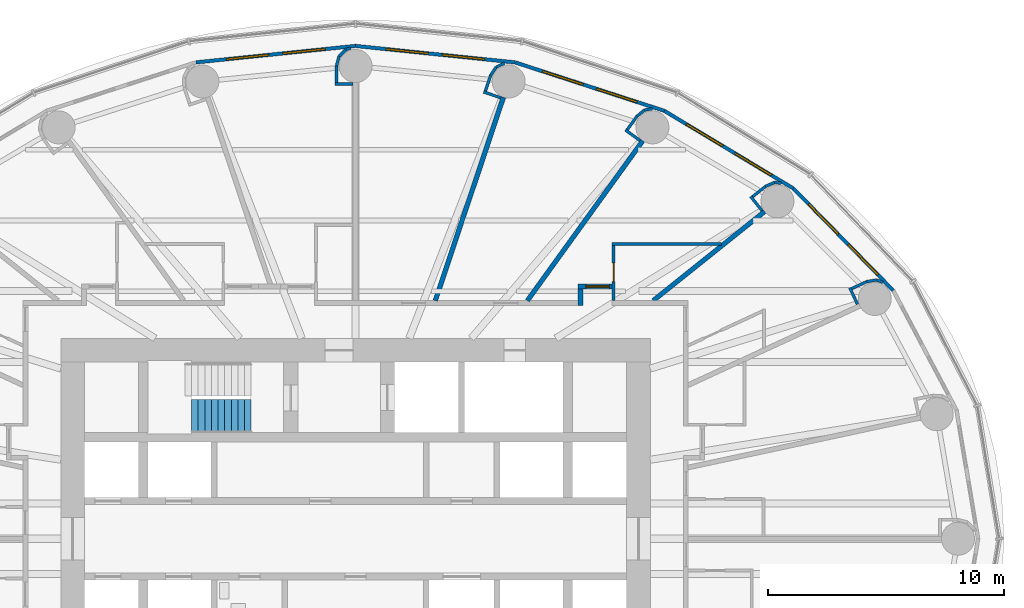
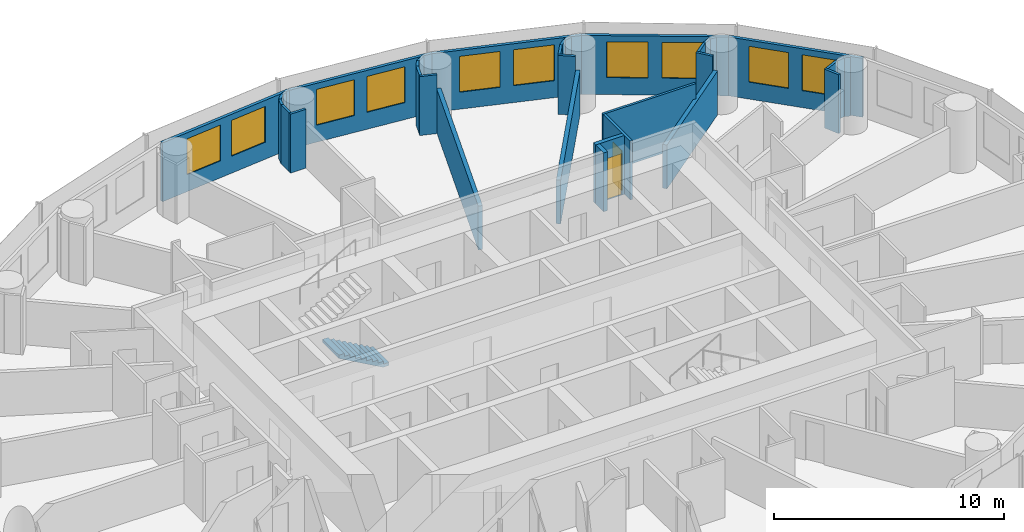
# One storey, part 13 of 16: 33 walls, 10 windows, 2 doors, 1 stair flight, 12 openings, 1 element without a shape of its own.
"""IFC4 building model written with IfcOpenShell, lengths in metres."""

from ifc_helpers import new_model, si_unit, direction, frame, frame_2d, origin, place, context, subcontext, project, spatial, polyline, rectangle, outline, extrude, material, layer, layer_set, type_object, element, fill, aggregate, save


model = new_model("IFC4")

# Units and contexts
model_context = context("Model", 3, precision=1e-05, world=origin(), true_north=direction((0.0, 1.0)))
body_context = subcontext(model_context, "Body", "Model", "MODEL_VIEW")
ifc_project = project(units=[si_unit("LENGTHUNIT", "METRE"), si_unit("AREAUNIT", "SQUARE_METRE"), si_unit("VOLUMEUNIT", "CUBIC_METRE"), si_unit("PLANEANGLEUNIT", "RADIAN"), si_unit("MASSUNIT", "GRAM", prefix="KILO")], contexts=[model_context])

# Site, building, storey
site_placement = place(None, origin())
site = spatial("IfcSite", under=ifc_project, at=site_placement, CompositionType="ELEMENT")
building_placement = place(site_placement, origin())
building = spatial("IfcBuilding", under=site, at=building_placement, Name="Hankou Lantern Tower", CompositionType="ELEMENT")
storey_placement = place(building_placement, frame((0.0, 0.0, 70.5)))
storey = spatial("IfcBuildingStorey", under=building, at=storey_placement, Name="L17", CompositionType="ELEMENT", Elevation=70.5)

# Wall, openings, windows
ifc_material_1 = material(Name="Aluminium spandrel panel on steel studs", Category="steel")
ifc_layer_1 = layer(ifc_material_1, 0.14990234375)
ifc_layer_set_1 = layer_set([ifc_layer_1], Name="Aluminium spandrel panel on steel studs")
wall_type_1 = type_object("IfcWallType", Name="EW1 INNER SKIN WALL 150", PredefinedType="ELEMENTEDWALL", material=ifc_layer_set_1)
wall_1_placement = place(storey_placement, frame((22.802734375, 10.5322265625, 0.0), z_axis=(0.0, 0.0, 1.0), x_axis=(-0.699602905915, 0.714531856557, 0.0)))
wall_1 = element("IfcWall", 1, at=wall_1_placement, inside=storey, type_object=wall_type_1, Name="Inner skin R03-R04 L17", PredefinedType="ELEMENTEDWALL", context=body_context, shape_type="SweptSolid", body=[
    extrude(rectangle(XDim=6.05078125, YDim=0.14990234375, at=frame_2d((3.025390625, 0.0))), origin(), (0.0, 0.0, 1.0), 3.1201171875),
])
opening_1_placement = place(wall_1_placement, frame((0.925537109375, 0.0, 0.89990234375)))
opening_1 = element("IfcOpeningElement", 2, at=opening_1_placement, cuts=wall_1, Name="Opening W1", PredefinedType="OPENING", context=body_context, shape_type="SweptSolid", body=[
    extrude(rectangle(XDim=1.800048828125, YDim=1.89990234375, at=frame_2d((0.89990234375, 0.949951171875))), frame((0.0, 0.0849609375, 0.0), z_axis=(0.0, -1.0, 0.0), x_axis=(1.0, 0.0, 0.0)), (0.0, 0.0, 1.0), 0.169921875),
])
opening_2_placement = place(wall_1_placement, frame((3.325439453125, 0.0, 0.89990234375)))
opening_2 = element("IfcOpeningElement", 3, at=opening_2_placement, cuts=wall_1, Name="Opening W1", PredefinedType="OPENING", context=body_context, shape_type="SweptSolid", body=[
    extrude(rectangle(XDim=1.800048828125, YDim=1.89990234375, at=frame_2d((0.89990234375, 0.949951171875))), frame((0.0, 0.0849609375, 0.0), z_axis=(0.0, -1.0, 0.0), x_axis=(1.0, 0.0, 0.0)), (0.0, 0.0, 1.0), 0.169921875),
])
ifc_material_2 = material(Name="Aluminium framed double glazed window", Category="aluminium")
window_type = type_object("IfcWindowType", Name="W1 GUEST ROOM WINDOW 1800X1900", PartitioningType="DOUBLE_PANEL_VERTICAL", PredefinedType="WINDOW", material=ifc_material_2)
window_1_placement = place(opening_1_placement, origin())
window_1 = element("IfcWindow", 4, at=window_1_placement, inside=storey, type_object=window_type, Name="Window R03.1 L17", OverallHeight=1.89990234375, OverallWidth=1.800048828125, PartitioningType="SINGLE_PANEL", PredefinedType="WINDOW", context=body_context, shape_type="SweptSolid", body=[
    extrude(rectangle(XDim=1.800048828125, YDim=1.89990234375, at=frame_2d((0.89990234375, 0.949951171875))), frame((0.0, 0.030029296875, 0.0), z_axis=(0.0, -1.0, 0.0), x_axis=(1.0, 0.0, 0.0)), (0.0, 0.0, 1.0), 0.06005859375),
])
fill(opening_1, window_1)
window_2_placement = place(opening_2_placement, origin())
window_2 = element("IfcWindow", 5, at=window_2_placement, inside=storey, type_object=window_type, Name="Window R03.2 L17", OverallHeight=1.89990234375, OverallWidth=1.800048828125, PartitioningType="SINGLE_PANEL", PredefinedType="WINDOW", context=body_context, shape_type="SweptSolid", body=[
    extrude(rectangle(XDim=1.800048828125, YDim=1.89990234375, at=frame_2d((0.89990234375, 0.949951171875))), frame((0.0, 0.030029296875, 0.0), z_axis=(0.0, -1.0, 0.0), x_axis=(1.0, 0.0, 0.0)), (0.0, 0.0, 1.0), 0.06005859375),
])
fill(opening_2, window_2)

wall_2_placement = place(storey_placement, frame((18.569580078125, 14.855712890625, 0.0), z_axis=(0.0, 0.0, 1.0), x_axis=(-0.856983180864, 0.515344377787, 0.0)))
wall_2 = element("IfcWall", 6, at=wall_2_placement, inside=storey, type_object=wall_type_1, Name="Inner skin R04-R05 L17", PredefinedType="ELEMENTEDWALL", context=body_context, shape_type="SweptSolid", body=[
    extrude(rectangle(XDim=6.386474609375, YDim=0.14990234375, at=frame_2d((3.193359375, 0.0))), origin(), (0.0, 0.0, 1.0), 3.1201171875),
])
opening_3_placement = place(wall_2_placement, frame((1.09326171875, 0.0, 0.89990234375)))
opening_3 = element("IfcOpeningElement", 7, at=opening_3_placement, cuts=wall_2, Name="Opening W1", PredefinedType="OPENING", context=body_context, shape_type="SweptSolid", body=[
    extrude(rectangle(XDim=1.800048828125, YDim=1.89990234375, at=frame_2d((0.89990234375, 0.949951171875))), frame((0.0, 0.0849609375, 0.0), z_axis=(0.0, -1.0, 0.0), x_axis=(1.0, 0.0, 0.0)), (0.0, 0.0, 1.0), 0.169921875),
])
opening_4_placement = place(wall_2_placement, frame((3.4931640625, 0.0, 0.89990234375)))
opening_4 = element("IfcOpeningElement", 8, at=opening_4_placement, cuts=wall_2, Name="Opening W1", PredefinedType="OPENING", context=body_context, shape_type="SweptSolid", body=[
    extrude(rectangle(XDim=1.800048828125, YDim=1.89990234375, at=frame_2d((0.89990234375, 0.949951171875))), frame((0.0, 0.0849609375, 0.0), z_axis=(0.0, -1.0, 0.0), x_axis=(1.0, 0.0, 0.0)), (0.0, 0.0, 1.0), 0.169921875),
])
window_3_placement = place(opening_3_placement, origin())
window_3 = element("IfcWindow", 9, at=window_3_placement, inside=storey, type_object=window_type, Name="Window R04.1 L17", OverallHeight=1.89990234375, OverallWidth=1.800048828125, PartitioningType="SINGLE_PANEL", PredefinedType="WINDOW", context=body_context, shape_type="SweptSolid", body=[
    extrude(rectangle(XDim=1.800048828125, YDim=1.89990234375, at=frame_2d((0.89990234375, 0.949951171875))), frame((0.0, 0.030029296875, 0.0), z_axis=(0.0, -1.0, 0.0), x_axis=(1.0, 0.0, 0.0)), (0.0, 0.0, 1.0), 0.06005859375),
])
fill(opening_3, window_3)
window_4_placement = place(opening_4_placement, origin())
window_4 = element("IfcWindow", 10, at=window_4_placement, inside=storey, type_object=window_type, Name="Window R04.2 L17", OverallHeight=1.89990234375, OverallWidth=1.800048828125, PartitioningType="SINGLE_PANEL", PredefinedType="WINDOW", context=body_context, shape_type="SweptSolid", body=[
    extrude(rectangle(XDim=1.800048828125, YDim=1.89990234375, at=frame_2d((0.89990234375, 0.949951171875))), frame((0.0, 0.030029296875, 0.0), z_axis=(0.0, -1.0, 0.0), x_axis=(1.0, 0.0, 0.0)), (0.0, 0.0, 1.0), 0.06005859375),
])
fill(opening_4, window_4)

wall_3_placement = place(storey_placement, frame((13.096435546875, 18.14697265625, 0.0), z_axis=(0.0, 0.0, 1.0), x_axis=(-0.951137534625, 0.308767534285, 0.0)))
wall_3 = element("IfcWall", 11, at=wall_3_placement, inside=storey, type_object=wall_type_1, Name="Inner skin R05-R06 L17", PredefinedType="ELEMENTEDWALL", context=body_context, shape_type="SweptSolid", body=[
    extrude(rectangle(XDim=6.6552734375, YDim=0.14990234375, at=frame_2d((3.32763671875, 0.0))), origin(), (0.0, 0.0, 1.0), 3.1201171875),
])
opening_5_placement = place(wall_3_placement, frame((1.2275390625, 0.0, 0.89990234375)))
opening_5 = element("IfcOpeningElement", 12, at=opening_5_placement, cuts=wall_3, Name="Opening W1", PredefinedType="OPENING", context=body_context, shape_type="SweptSolid", body=[
    extrude(rectangle(XDim=1.800048828125, YDim=1.89990234375, at=frame_2d((0.89990234375, 0.949951171875))), frame((0.0, 0.0849609375, 0.0), z_axis=(0.0, -1.0, 0.0), x_axis=(1.0, 0.0, 0.0)), (0.0, 0.0, 1.0), 0.169921875),
])
opening_6_placement = place(wall_3_placement, frame((3.627685546875, 0.0, 0.89990234375)))
opening_6 = element("IfcOpeningElement", 13, at=opening_6_placement, cuts=wall_3, Name="Opening W1", PredefinedType="OPENING", context=body_context, shape_type="SweptSolid", body=[
    extrude(rectangle(XDim=1.800048828125, YDim=1.89990234375, at=frame_2d((0.89990234375, 0.949951171875))), frame((0.0, 0.0849609375, 0.0), z_axis=(0.0, -1.0, 0.0), x_axis=(1.0, 0.0, 0.0)), (0.0, 0.0, 1.0), 0.169921875),
])
window_5_placement = place(opening_5_placement, origin())
window_5 = element("IfcWindow", 14, at=window_5_placement, inside=storey, type_object=window_type, Name="Window R05.1 L17", OverallHeight=1.89990234375, OverallWidth=1.800048828125, PartitioningType="SINGLE_PANEL", PredefinedType="WINDOW", context=body_context, shape_type="SweptSolid", body=[
    extrude(rectangle(XDim=1.800048828125, YDim=1.89990234375, at=frame_2d((0.89990234375, 0.949951171875))), frame((0.0, 0.030029296875, 0.0), z_axis=(0.0, -1.0, 0.0), x_axis=(1.0, 0.0, 0.0)), (0.0, 0.0, 1.0), 0.06005859375),
])
fill(opening_5, window_5)
window_6_placement = place(opening_6_placement, origin())
window_6 = element("IfcWindow", 15, at=window_6_placement, inside=storey, type_object=window_type, Name="Window R05.2 L17", OverallHeight=1.89990234375, OverallWidth=1.800048828125, PartitioningType="SINGLE_PANEL", PredefinedType="WINDOW", context=body_context, shape_type="SweptSolid", body=[
    extrude(rectangle(XDim=1.800048828125, YDim=1.89990234375, at=frame_2d((0.89990234375, 0.949951171875))), frame((0.0, 0.030029296875, 0.0), z_axis=(0.0, -1.0, 0.0), x_axis=(1.0, 0.0, 0.0)), (0.0, 0.0, 1.0), 0.06005859375),
])
fill(opening_6, window_6)

wall_4_placement = place(storey_placement, frame((6.766357421875, 20.201904296875, 0.0), z_axis=(0.0, 0.0, 1.0), x_axis=(-0.994721394369, 0.102612609291, 0.0)))
wall_4 = element("IfcWall", 16, at=wall_4_placement, inside=storey, type_object=wall_type_1, Name="Inner skin R06-R07 L17", PredefinedType="ELEMENTEDWALL", context=body_context, shape_type="SweptSolid", body=[
    extrude(rectangle(XDim=6.80224609375, YDim=0.14990234375, at=frame_2d((3.401123046875, 0.0))), origin(), (0.0, 0.0, 1.0), 3.1201171875),
])
opening_7_placement = place(wall_4_placement, frame((1.301025390625, 0.0, 0.89990234375)))
opening_7 = element("IfcOpeningElement", 17, at=opening_7_placement, cuts=wall_4, Name="Opening W1", PredefinedType="OPENING", context=body_context, shape_type="SweptSolid", body=[
    extrude(rectangle(XDim=1.800048828125, YDim=1.89990234375, at=frame_2d((0.89990234375, 0.949951171875))), frame((0.0, 0.0849609375, 0.0), z_axis=(0.0, -1.0, 0.0), x_axis=(1.0, 0.0, 0.0)), (0.0, 0.0, 1.0), 0.169921875),
])
opening_8_placement = place(wall_4_placement, frame((3.701171875, 0.0, 0.89990234375)))
opening_8 = element("IfcOpeningElement", 18, at=opening_8_placement, cuts=wall_4, Name="Opening W1", PredefinedType="OPENING", context=body_context, shape_type="SweptSolid", body=[
    extrude(rectangle(XDim=1.800048828125, YDim=1.89990234375, at=frame_2d((0.89990234375, 0.949951171875))), frame((0.0, 0.0849609375, 0.0), z_axis=(0.0, -1.0, 0.0), x_axis=(1.0, 0.0, 0.0)), (0.0, 0.0, 1.0), 0.169921875),
])
window_7_placement = place(opening_7_placement, origin())
window_7 = element("IfcWindow", 19, at=window_7_placement, inside=storey, type_object=window_type, Name="Window R06.1 L17", OverallHeight=1.89990234375, OverallWidth=1.800048828125, PartitioningType="SINGLE_PANEL", PredefinedType="WINDOW", context=body_context, shape_type="SweptSolid", body=[
    extrude(rectangle(XDim=1.800048828125, YDim=1.89990234375, at=frame_2d((0.89990234375, 0.949951171875))), frame((0.0, 0.030029296875, 0.0), z_axis=(0.0, -1.0, 0.0), x_axis=(1.0, 0.0, 0.0)), (0.0, 0.0, 1.0), 0.06005859375),
])
fill(opening_7, window_7)
window_8_placement = place(opening_8_placement, origin())
window_8 = element("IfcWindow", 20, at=window_8_placement, inside=storey, type_object=window_type, Name="Window R06.2 L17", OverallHeight=1.89990234375, OverallWidth=1.800048828125, PartitioningType="SINGLE_PANEL", PredefinedType="WINDOW", context=body_context, shape_type="SweptSolid", body=[
    extrude(rectangle(XDim=1.800048828125, YDim=1.89990234375, at=frame_2d((0.89990234375, 0.949951171875))), frame((0.0, 0.030029296875, 0.0), z_axis=(0.0, -1.0, 0.0), x_axis=(1.0, 0.0, 0.0)), (0.0, 0.0, 1.0), 0.06005859375),
])
fill(opening_8, window_8)

wall_5_placement = place(storey_placement, frame((0.0, 20.89990234375, 0.0), z_axis=(0.0, 0.0, 1.0), x_axis=(-0.994721394369, -0.102612609291, 0.0)))
wall_5 = element("IfcWall", 21, at=wall_5_placement, inside=storey, type_object=wall_type_1, Name="Inner skin R07-R08 L17", PredefinedType="ELEMENTEDWALL", context=body_context, shape_type="SweptSolid", body=[
    extrude(rectangle(XDim=6.80224609375, YDim=0.14990234375, at=frame_2d((3.401123046875, 0.0))), origin(), (0.0, 0.0, 1.0), 3.1201171875),
])
opening_9_placement = place(wall_5_placement, frame((1.301025390625, 0.0, 0.89990234375)))
opening_9 = element("IfcOpeningElement", 22, at=opening_9_placement, cuts=wall_5, Name="Opening W1", PredefinedType="OPENING", context=body_context, shape_type="SweptSolid", body=[
    extrude(rectangle(XDim=1.800048828125, YDim=1.89990234375, at=frame_2d((0.89990234375, 0.949951171875))), frame((0.0, 0.0849609375, 0.0), z_axis=(0.0, -1.0, 0.0), x_axis=(1.0, 0.0, 0.0)), (0.0, 0.0, 1.0), 0.169921875),
])
opening_10_placement = place(wall_5_placement, frame((3.701171875, 0.0, 0.89990234375)))
opening_10 = element("IfcOpeningElement", 23, at=opening_10_placement, cuts=wall_5, Name="Opening W1", PredefinedType="OPENING", context=body_context, shape_type="SweptSolid", body=[
    extrude(rectangle(XDim=1.800048828125, YDim=1.89990234375, at=frame_2d((0.89990234375, 0.949951171875))), frame((0.0, 0.0849609375, 0.0), z_axis=(0.0, -1.0, 0.0), x_axis=(1.0, 0.0, 0.0)), (0.0, 0.0, 1.0), 0.169921875),
])
window_9_placement = place(opening_9_placement, origin())
window_9 = element("IfcWindow", 24, at=window_9_placement, inside=storey, type_object=window_type, Name="Window R07.1 L17", OverallHeight=1.89990234375, OverallWidth=1.800048828125, PartitioningType="SINGLE_PANEL", PredefinedType="WINDOW", context=body_context, shape_type="SweptSolid", body=[
    extrude(rectangle(XDim=1.800048828125, YDim=1.89990234375, at=frame_2d((0.89990234375, 0.949951171875))), frame((0.0, 0.030029296875, 0.0), z_axis=(0.0, -1.0, 0.0), x_axis=(1.0, 0.0, 0.0)), (0.0, 0.0, 1.0), 0.06005859375),
])
fill(opening_9, window_9)
window_10_placement = place(opening_10_placement, origin())
window_10 = element("IfcWindow", 25, at=window_10_placement, inside=storey, type_object=window_type, Name="Window R07.2 L17", OverallHeight=1.89990234375, OverallWidth=1.800048828125, PartitioningType="SINGLE_PANEL", PredefinedType="WINDOW", context=body_context, shape_type="SweptSolid", body=[
    extrude(rectangle(XDim=1.800048828125, YDim=1.89990234375, at=frame_2d((0.89990234375, 0.949951171875))), frame((0.0, 0.030029296875, 0.0), z_axis=(0.0, -1.0, 0.0), x_axis=(1.0, 0.0, 0.0)), (0.0, 0.0, 1.0), 0.06005859375),
])
fill(opening_10, window_10)

# Wall
ifc_material_3 = material(Name="Masonry lightweight concrete block", Category="masonry")
ifc_layer_2 = layer(ifc_material_3, 0.199951171875)
ifc_layer_set_2 = layer_set([ifc_layer_2], Name="Masonry lightweight concrete block")
wall_type_2 = type_object("IfcWallType", Name="IW1 GUEST ROOM PARTY WALL 200", PredefinedType="PARTITIONING", material=ifc_layer_set_2)
wall_6_placement = place(storey_placement, frame((12.625, 10.10009765625, 0.0), z_axis=(0.0, 0.0, 1.0), x_axis=(0.780892451574, 0.624665493744, 0.0)))
element("IfcWall", 26, at=wall_6_placement, inside=storey, type_object=wall_type_2, Name="Party wall R04", PredefinedType="PARTITIONING", context=body_context, shape_type="SweptSolid", body=[
    extrude(rectangle(XDim=6.044677734375, YDim=0.199951171875, at=frame_2d((3.0224609375, 0.0))), origin(), (0.0, 0.0, 1.0), 2.320068359375),
])

# Wall, opening, door
ifc_material_4 = material(Name="Masonry lightweight concrete block", Category="masonry")
ifc_layer_3 = layer(ifc_material_4, 0.199951171875)
ifc_layer_set_3 = layer_set([ifc_layer_3], Name="Masonry lightweight concrete block")
wall_type_3 = type_object("IfcWallType", Name="IW2 CORRIDOR WALL 200", PredefinedType="PARTITIONING", material=ifc_layer_set_3)
wall_7_placement = place(storey_placement, frame((9.445068359375, 10.699951171875, 0.0), z_axis=(0.0, 0.0, 1.0), x_axis=(1.0, 0.0, 0.0)))
wall_7 = element("IfcWall", 27, at=wall_7_placement, inside=storey, type_object=wall_type_3, Name="Corridor recess wall 1709 back", PredefinedType="PARTITIONING", context=body_context, shape_type="SweptSolid", body=[
    extrude(rectangle(XDim=1.43994140625, YDim=0.199951171875, at=frame_2d((0.719970703125, 0.0))), origin(), (0.0, 0.0, 1.0), 3.1201171875),
])
opening_11_placement = place(wall_7_placement, frame((0.320068359375, 0.0, 0.0)))
opening_11 = element("IfcOpeningElement", 28, at=opening_11_placement, cuts=wall_7, Name="Opening D1", PredefinedType="OPENING", context=body_context, shape_type="SweptSolid", body=[
    extrude(rectangle(XDim=1.0, YDim=2.199951171875, at=frame_2d((0.5, 1.10009765625))), frame((0.0, 0.10986328125, 0.0), z_axis=(0.0, -1.0, 0.0), x_axis=(1.0, 0.0, 0.0)), (0.0, 0.0, 1.0), 0.219970703125),
])
ifc_material_5 = material(Name="Steel door leaf", Category="steel")
door_type_1 = type_object("IfcDoorType", Name="D1 GUEST ROOM DOOR 1000X2200", OperationType="SINGLE_SWING_LEFT", PredefinedType="DOOR", material=ifc_material_5)
door_1_placement = place(opening_11_placement, origin())
door_1 = element("IfcDoor", 29, at=door_1_placement, inside=storey, type_object=door_type_1, Name="Guest room door 1709", OperationType="SINGLE_SWING_RIGHT", OverallHeight=2.199951171875, OverallWidth=1.0, PredefinedType="DOOR", context=body_context, shape_type="SweptSolid", body=[
    extrude(rectangle(XDim=1.0, YDim=2.199951171875, at=frame_2d((0.5, 1.10009765625))), frame((0.0, 0.02490234375, 0.0), z_axis=(0.0, -1.0, 0.0), x_axis=(1.0, 0.0, 0.0)), (0.0, 0.0, 1.0), 0.050048828125),
])
fill(opening_11, door_1)

# Walls
wall_8_placement = place(storey_placement, frame((9.544921875, 9.89990234375, 0.0), z_axis=(0.0, 0.0, 1.0), x_axis=(0.0, 1.0, 0.0)))
element("IfcWall", 30, at=wall_8_placement, inside=storey, type_object=wall_type_3, Name="Corridor recess wall 1709 side", PredefinedType="PARTITIONING", context=body_context, shape_type="SweptSolid", body=[
    extrude(rectangle(XDim=0.7001953125, YDim=0.199951171875, at=frame_2d((0.35009765625, 0.0))), origin(), (0.0, 0.0, 1.0), 3.1201171875),
])
ifc_material_6 = material(Name="Masonry lightweight concrete block", Category="masonry")
ifc_layer_4 = layer(ifc_material_6, 0.1201171875)
ifc_layer_set_4 = layer_set([ifc_layer_4], Name="Masonry lightweight concrete block")
wall_type_4 = type_object("IfcWallType", Name="IW3 BATHROOM WALL 120", PredefinedType="PARTITIONING", material=ifc_layer_set_4)
wall_9_placement = place(storey_placement, frame((15.52490234375, 12.5, 0.0), z_axis=(0.0, 0.0, 1.0), x_axis=(-1.0, 0.0, 0.0)))
element("IfcWall", 31, at=wall_9_placement, inside=storey, type_object=wall_type_4, Name="Box wall 1709 1", PredefinedType="PARTITIONING", context=body_context, shape_type="SweptSolid", body=[
    extrude(rectangle(XDim=4.639892578125, YDim=0.1201171875, at=frame_2d((2.31982421875, 0.0))), origin(), (0.0, 0.0, 1.0), 3.1201171875),
])

# Wall, opening, door
wall_10_placement = place(storey_placement, frame((10.945068359375, 10.10009765625, 0.0), z_axis=(0.0, 0.0, 1.0), x_axis=(0.0, 1.0, 0.0)))
wall_10 = element("IfcWall", 32, at=wall_10_placement, inside=storey, type_object=wall_type_4, Name="Box wall 1709 1", PredefinedType="PARTITIONING", context=body_context, shape_type="SweptSolid", body=[
    extrude(rectangle(XDim=2.33984375, YDim=0.1201171875, at=frame_2d((1.169921875, 0.0))), origin(), (0.0, 0.0, 1.0), 3.1201171875),
])
opening_12_placement = place(wall_10_placement, frame((0.800048828125, 0.0, 0.0)))
opening_12 = element("IfcOpeningElement", 33, at=opening_12_placement, cuts=wall_10, Name="Opening D3", PredefinedType="OPENING", context=body_context, shape_type="SweptSolid", body=[
    extrude(rectangle(XDim=0.800048828125, YDim=2.10009765625, at=frame_2d((0.39990234375, 1.050048828125))), frame((0.0, 0.070068359375, 0.0), z_axis=(0.0, -1.0, 0.0), x_axis=(1.0, 0.0, 0.0)), (0.0, 0.0, 1.0), 0.14013671875),
])
ifc_material_7 = material(Name="Timber door leaf", Category="wood")
door_type_2 = type_object("IfcDoorType", Name="D3 BATHROOM DOOR 800X2100", OperationType="SINGLE_SWING_LEFT", PredefinedType="DOOR", material=ifc_material_7)
door_2_placement = place(opening_12_placement, origin())
door_2 = element("IfcDoor", 34, at=door_2_placement, inside=storey, type_object=door_type_2, Name="En-suite bathroom 1709 door", OperationType="SINGLE_SWING_LEFT", OverallHeight=2.10009765625, OverallWidth=0.800048828125, PredefinedType="DOOR", context=body_context, shape_type="SweptSolid", body=[
    extrude(rectangle(XDim=0.800048828125, YDim=2.10009765625, at=frame_2d((0.39990234375, 1.050048828125))), frame((0.0, 0.02490234375, 0.0), z_axis=(0.0, -1.0, 0.0), x_axis=(1.0, 0.0, 0.0)), (0.0, 0.0, 1.0), 0.050048828125),
])
fill(opening_12, door_2)

# Walls
ifc_material_8 = material(Name="Masonry lightweight concrete block", Category="masonry")
ifc_layer_5 = layer(ifc_material_8, 0.1201171875)
ifc_layer_set_5 = layer_set([ifc_layer_5], Name="Masonry lightweight concrete block")
wall_type_5 = type_object("IfcWallType", Name="IW4 PARTITION 120", PredefinedType="PARTITIONING", material=ifc_layer_set_5)
wall_11_placement = place(storey_placement, frame((21.287109375, 9.9423828125, 0.0), z_axis=(0.0, 0.0, 1.0), x_axis=(-0.419259891039, 0.907866258744, 0.0)))
element("IfcWall", 35, at=wall_11_placement, inside=storey, type_object=wall_type_5, Name="Column casing R03 return", PredefinedType="PARTITIONING", context=body_context, shape_type="SweptSolid", body=[
    extrude(rectangle(XDim=0.767578125, YDim=0.1201171875, at=frame_2d((0.3837890625, 0.0))), origin(), (0.0, 0.0, 1.0), 3.1201171875),
])
wall_12_placement = place(storey_placement, frame((21.044921875, 10.60986328125, 0.0), z_axis=(0.0, 0.0, 1.0), x_axis=(0.907877701396, 0.419235112208, 0.0)))
element("IfcWall", 36, at=wall_12_placement, inside=storey, type_object=wall_type_5, Name="Column casing R03", PredefinedType="PARTITIONING", context=body_context, shape_type="SweptSolid", body=[
    extrude(rectangle(XDim=0.699951171875, YDim=0.1201171875, at=frame_2d((0.35009765625, 0.0))), origin(), (0.0, 0.0, 1.0), 3.1201171875),
])
wall_13_placement = place(storey_placement, frame((21.680419921875, 10.9033203125, 0.0), z_axis=(0.0, 0.0, 1.0), x_axis=(0.985446622073, 0.169985161247, 0.0)))
element("IfcWall", 37, at=wall_13_placement, inside=storey, type_object=wall_type_5, Name="Column casing R03", PredefinedType="PARTITIONING", context=body_context, shape_type="SweptSolid", body=[
    extrude(rectangle(XDim=0.41796875, YDim=0.1201171875, at=frame_2d((0.208984375, 0.0))), origin(), (0.0, 0.0, 1.0), 3.1201171875),
])
wall_14_placement = place(storey_placement, frame((22.09228515625, 10.974365234375, 0.0), z_axis=(0.0, 0.0, 1.0), x_axis=(0.938428160676, -0.345474437912, 0.0)))
element("IfcWall", 38, at=wall_14_placement, inside=storey, type_object=wall_type_5, Name="Column casing R03", PredefinedType="PARTITIONING", context=body_context, shape_type="SweptSolid", body=[
    extrude(rectangle(XDim=0.2939453125, YDim=0.1201171875, at=frame_2d((0.14697265625, 0.0))), origin(), (0.0, 0.0, 1.0), 3.1201171875),
])
wall_15_placement = place(storey_placement, frame((17.23583984375, 13.916748046875, 0.0), z_axis=(0.0, 0.0, 1.0), x_axis=(-0.624695047554, 0.780868809443, 0.0)))
element("IfcWall", 39, at=wall_15_placement, inside=storey, type_object=wall_type_5, Name="Column casing R04 return", PredefinedType="PARTITIONING", context=body_context, shape_type="SweptSolid", body=[
    extrude(rectangle(XDim=0.767578125, YDim=0.1201171875, at=frame_2d((0.3837890625, 0.0))), origin(), (0.0, 0.0, 1.0), 3.1201171875),
])
wall_16_placement = place(storey_placement, frame((16.840576171875, 14.506591796875, 0.0), z_axis=(0.0, 0.0, 1.0), x_axis=(0.780902834923, 0.62465251333, 0.0)))
element("IfcWall", 40, at=wall_16_placement, inside=storey, type_object=wall_type_5, Name="Column casing R04", PredefinedType="PARTITIONING", context=body_context, shape_type="SweptSolid", body=[
    extrude(rectangle(XDim=0.699951171875, YDim=0.1201171875, at=frame_2d((0.35009765625, 0.0))), origin(), (0.0, 0.0, 1.0), 3.1201171875),
])
wall_17_placement = place(storey_placement, frame((17.38720703125, 14.94384765625, 0.0), z_axis=(0.0, 0.0, 1.0), x_axis=(0.916036698064, 0.401094462441, 0.0)))
element("IfcWall", 41, at=wall_17_placement, inside=storey, type_object=wall_type_5, Name="Column casing R04", PredefinedType="PARTITIONING", context=body_context, shape_type="SweptSolid", body=[
    extrude(rectangle(XDim=0.418212890625, YDim=0.1201171875, at=frame_2d((0.208984375, 0.0))), origin(), (0.0, 0.0, 1.0), 3.1201171875),
])
wall_18_placement = place(storey_placement, frame((17.770263671875, 15.111572265625, 0.0), z_axis=(0.0, 0.0, 1.0), x_axis=(0.993904401174, -0.110245368731, 0.0)))
element("IfcWall", 42, at=wall_18_placement, inside=storey, type_object=wall_type_5, Name="Column casing R04", PredefinedType="PARTITIONING", context=body_context, shape_type="SweptSolid", body=[
    extrude(rectangle(XDim=0.287841796875, YDim=0.1201171875, at=frame_2d((0.14404296875, 0.0))), origin(), (0.0, 0.0, 1.0), 3.1201171875),
])
wall_19_placement = place(storey_placement, frame((12.06494140625, 16.888671875, 0.0), z_axis=(0.0, 0.0, 1.0), x_axis=(-0.810821798253, 0.585293098778, 0.0)))
element("IfcWall", 43, at=wall_19_placement, inside=storey, type_object=wall_type_5, Name="Column casing R05 return", PredefinedType="PARTITIONING", context=body_context, shape_type="SweptSolid", body=[
    extrude(rectangle(XDim=0.767578125, YDim=0.1201171875, at=frame_2d((0.3837890625, 0.0))), origin(), (0.0, 0.0, 1.0), 3.1201171875),
])
wall_20_placement = place(storey_placement, frame((11.5263671875, 17.351318359375, 0.0), z_axis=(0.0, 0.0, 1.0), x_axis=(0.585223113993, 0.810872312296, 0.0)))
element("IfcWall", 44, at=wall_20_placement, inside=storey, type_object=wall_type_5, Name="Column casing R05", PredefinedType="PARTITIONING", context=body_context, shape_type="SweptSolid", body=[
    extrude(rectangle(XDim=0.699951171875, YDim=0.1201171875, at=frame_2d((0.35009765625, 0.0))), origin(), (0.0, 0.0, 1.0), 3.1201171875),
])
wall_21_placement = place(storey_placement, frame((11.93603515625, 17.9189453125, 0.0), z_axis=(0.0, 0.0, 1.0), x_axis=(0.775023088441, 0.631932917629, 0.0)))
element("IfcWall", 45, at=wall_21_placement, inside=storey, type_object=wall_type_5, Name="Column casing R05", PredefinedType="PARTITIONING", context=body_context, shape_type="SweptSolid", body=[
    extrude(rectangle(XDim=0.41796875, YDim=0.1201171875, at=frame_2d((0.208984375, 0.0))), origin(), (0.0, 0.0, 1.0), 3.1201171875),
])
wall_22_placement = place(storey_placement, frame((12.260009765625, 18.18310546875, 0.0), z_axis=(0.0, 0.0, 1.0), x_axis=(0.987218661664, 0.159371622511, 0.0)))
element("IfcWall", 46, at=wall_22_placement, inside=storey, type_object=wall_type_5, Name="Column casing R05", PredefinedType="PARTITIONING", context=body_context, shape_type="SweptSolid", body=[
    extrude(rectangle(XDim=0.330810546875, YDim=0.1201171875, at=frame_2d((0.16552734375, 0.0))), origin(), (0.0, 0.0, 1.0), 3.1201171875),
])
wall_23_placement = place(storey_placement, frame((6.15869140625, 18.702392578125, 0.0), z_axis=(0.0, 0.0, 1.0), x_axis=(-0.948173154049, 0.31775410295, 0.0)))
element("IfcWall", 47, at=wall_23_placement, inside=storey, type_object=wall_type_5, Name="Column casing R06 return", PredefinedType="PARTITIONING", context=body_context, shape_type="SweptSolid", body=[
    extrude(rectangle(XDim=0.767578125, YDim=0.1201171875, at=frame_2d((0.3837890625, 0.0))), origin(), (0.0, 0.0, 1.0), 3.1201171875),
])
wall_24_placement = place(storey_placement, frame((5.5068359375, 18.984130859375, 0.0), z_axis=(0.0, 0.0, 1.0), x_axis=(0.317692050622, 0.948193946918, 0.0)))
element("IfcWall", 48, at=wall_24_placement, inside=storey, type_object=wall_type_5, Name="Column casing R06", PredefinedType="PARTITIONING", context=body_context, shape_type="SweptSolid", body=[
    extrude(rectangle(XDim=0.7001953125, YDim=0.1201171875, at=frame_2d((0.35009765625, 0.0))), origin(), (0.0, 0.0, 1.0), 3.1201171875),
])
wall_25_placement = place(storey_placement, frame((5.729248046875, 19.64794921875, 0.0), z_axis=(0.0, 0.0, 1.0), x_axis=(0.552135764955, 0.833754218615, 0.0)))
element("IfcWall", 49, at=wall_25_placement, inside=storey, type_object=wall_type_5, Name="Column casing R06", PredefinedType="PARTITIONING", context=body_context, shape_type="SweptSolid", body=[
    extrude(rectangle(XDim=0.41796875, YDim=0.1201171875, at=frame_2d((0.208984375, 0.0))), origin(), (0.0, 0.0, 1.0), 3.1201171875),
])
wall_26_placement = place(storey_placement, frame((5.9599609375, 19.996337890625, 0.0), z_axis=(0.0, 0.0, 1.0), x_axis=(0.895160725913, 0.445743507842, 0.0)))
element("IfcWall", 50, at=wall_26_placement, inside=storey, type_object=wall_type_5, Name="Column casing R06", PredefinedType="PARTITIONING", context=body_context, shape_type="SweptSolid", body=[
    extrude(rectangle(XDim=0.398681640625, YDim=0.1201171875, at=frame_2d((0.19921875, 0.0))), origin(), (0.0, 0.0, 1.0), 3.1201171875),
])
wall_27_placement = place(storey_placement, frame((-0.10009765625, 19.2900390625, 0.0), z_axis=(0.0, 0.0, 1.0), x_axis=(-1.0, 0.0, 0.0)))
element("IfcWall", 51, at=wall_27_placement, inside=storey, type_object=wall_type_5, Name="Column casing R07 return", PredefinedType="PARTITIONING", context=body_context, shape_type="SweptSolid", body=[
    extrude(rectangle(XDim=0.767333984375, YDim=0.1201171875, at=frame_2d((0.3837890625, 0.0))), origin(), (0.0, 0.0, 1.0), 3.1201171875),
])
wall_28_placement = place(storey_placement, frame((-0.8076171875, 19.35009765625, 0.0), z_axis=(0.0, 0.0, 1.0), x_axis=(0.0, 1.0, 0.0)))
element("IfcWall", 52, at=wall_28_placement, inside=storey, type_object=wall_type_5, Name="Column casing R07", PredefinedType="PARTITIONING", context=body_context, shape_type="SweptSolid", body=[
    extrude(rectangle(XDim=0.699951171875, YDim=0.1201171875, at=frame_2d((0.35009765625, 0.0))), origin(), (0.0, 0.0, 1.0), 3.1201171875),
])
wall_29_placement = place(storey_placement, frame((-0.8076171875, 20.050048828125, 0.0), z_axis=(0.0, 0.0, 1.0), x_axis=(0.2592614205, 0.965807183573, 0.0)))
element("IfcWall", 53, at=wall_29_placement, inside=storey, type_object=wall_type_5, Name="Column casing R07", PredefinedType="PARTITIONING", context=body_context, shape_type="SweptSolid", body=[
    extrude(rectangle(XDim=0.418212890625, YDim=0.1201171875, at=frame_2d((0.208984375, 0.0))), origin(), (0.0, 0.0, 1.0), 3.1201171875),
])
wall_30_placement = place(storey_placement, frame((-0.69921875, 20.453857421875, 0.0), z_axis=(0.0, 0.0, 1.0), x_axis=(0.707106781187, 0.707106781187, 0.0)))
element("IfcWall", 54, at=wall_30_placement, inside=storey, type_object=wall_type_5, Name="Column casing R07", PredefinedType="PARTITIONING", context=body_context, shape_type="SweptSolid", body=[
    extrude(rectangle(XDim=0.417724609375, YDim=0.1201171875, at=frame_2d((0.208984375, 0.0))), origin(), (0.0, 0.0, 1.0), 3.1201171875),
])
wall_31_placement = place(storey_placement, frame((-0.40380859375, 20.749267578125, 0.0), z_axis=(0.0, 0.0, 1.0), x_axis=(0.965759066438, 0.25944060128, 0.0)))
element("IfcWall", 55, at=wall_31_placement, inside=storey, type_object=wall_type_5, Name="Column casing R07", PredefinedType="PARTITIONING", context=body_context, shape_type="SweptSolid", body=[
    extrude(rectangle(XDim=0.213623046875, YDim=0.1201171875, at=frame_2d((0.10693359375, 0.0))), origin(), (0.0, 0.0, 1.0), 3.1201171875),
])
ifc_material_9 = material(Name="Masonry lightweight concrete block", Category="masonry")
ifc_layer_6 = layer(ifc_material_9, 0.199951171875)
ifc_layer_set_6 = layer_set([ifc_layer_6], Name="Masonry lightweight concrete block")
wall_type_6 = type_object("IfcWallType", Name="IW8 PARTITION 200", PredefinedType="PARTITIONING", material=ifc_layer_set_6)
wall_32_placement = place(storey_placement, frame((7.2890625, 10.10009765625, 0.0), z_axis=(0.0, 0.0, 1.0), x_axis=(0.585198353053, 0.810890182197, 0.0)))
element("IfcWall", 56, at=wall_32_placement, inside=storey, type_object=wall_type_6, Name="Partition R05", PredefinedType="PARTITIONING", context=body_context, shape_type="SweptSolid", body=[
    extrude(rectangle(XDim=8.359619140625, YDim=0.199951171875, at=frame_2d((4.1796875, 0.0))), origin(), (0.0, 0.0, 1.0), 2.320068359375),
])
wall_33_placement = place(storey_placement, frame((3.3828125, 10.10009765625, 0.0), z_axis=(0.0, 0.0, 1.0), x_axis=(0.31759592231, 0.948226149256, 0.0)))
element("IfcWall", 57, at=wall_33_placement, inside=storey, type_object=wall_type_6, Name="Partition R06", PredefinedType="PARTITIONING", context=body_context, shape_type="SweptSolid", body=[
    extrude(rectangle(XDim=9.098388671875, YDim=0.199951171875, at=frame_2d((4.54931640625, 0.0))), origin(), (0.0, 0.0, 1.0), 2.320068359375),
])

# Stair, stair flight
ifc_material_10 = material(Name="Concrete C40", Category="concrete")
stair_type = type_object("IfcStairType", Name="ST33 CORE STAIR 3300 RISE", PredefinedType="HALF_TURN_STAIR", material=ifc_material_10)
stair_placement = place(storey_placement, origin())
stair = element("IfcStair", 58, at=stair_placement, inside=storey, type_object=stair_type, Name="Stair STA L17", PredefinedType="HALF_TURN_STAIR")
ifc_material_11 = material(Name="Concrete C40", Category="concrete")
stair_flight_type = type_object("IfcStairFlightType", Name="CF10 CORE STAIR FLIGHT 1400 X 10 RISERS", PredefinedType="STRAIGHT", material=ifc_material_11)
stair_flight_placement = place(storey_placement, frame((-4.429931640625, 5.199951171875, 0.0), z_axis=(0.0, 0.0, 1.0), x_axis=(-1.0, 0.0, 0.0)))
stair_flight = element("IfcStairFlight", 59, at=stair_flight_placement, type_object=stair_flight_type, Name="STA flight 1", NumberOfRisers=10, NumberOfTreads=9, PredefinedType="STRAIGHT", RiserHeight=0.157142857, TreadLength=0.28, context=body_context, shape_type="SweptSolid", body=[
    extrude(outline(polyline([(0.0, 0.0), (0.0, 0.1572265625), (0.280029296875, 0.1572265625), (0.280029296875, 0.314208984375), (0.56005859375, 0.314208984375), (0.56005859375, 0.471435546875), (0.840087890625, 0.471435546875), (0.840087890625, 0.628662109375), (1.1201171875, 0.628662109375), (1.1201171875, 0.78564453125), (1.39990234375, 0.78564453125), (1.39990234375, 0.94287109375), (1.679931640625, 0.94287109375), (1.679931640625, 1.10009765625), (1.9599609375, 1.10009765625), (1.9599609375, 1.257080078125), (2.239990234375, 1.257080078125), (2.239990234375, 1.414306640625), (2.52001953125, 1.414306640625), (2.52001953125, 1.571533203125), (2.52001953125, 1.242431640625), (0.306396484375, 0.0), (0.0, 0.0)])), frame((0.0, 0.699951171875, 0.0), z_axis=(0.0, -1.0, 0.0), x_axis=(1.0, 0.0, 0.0)), (0.0, 0.0, 1.0), 1.39990234375),
])
aggregate(stair, [stair_flight])

save(model, "model.ifc")
